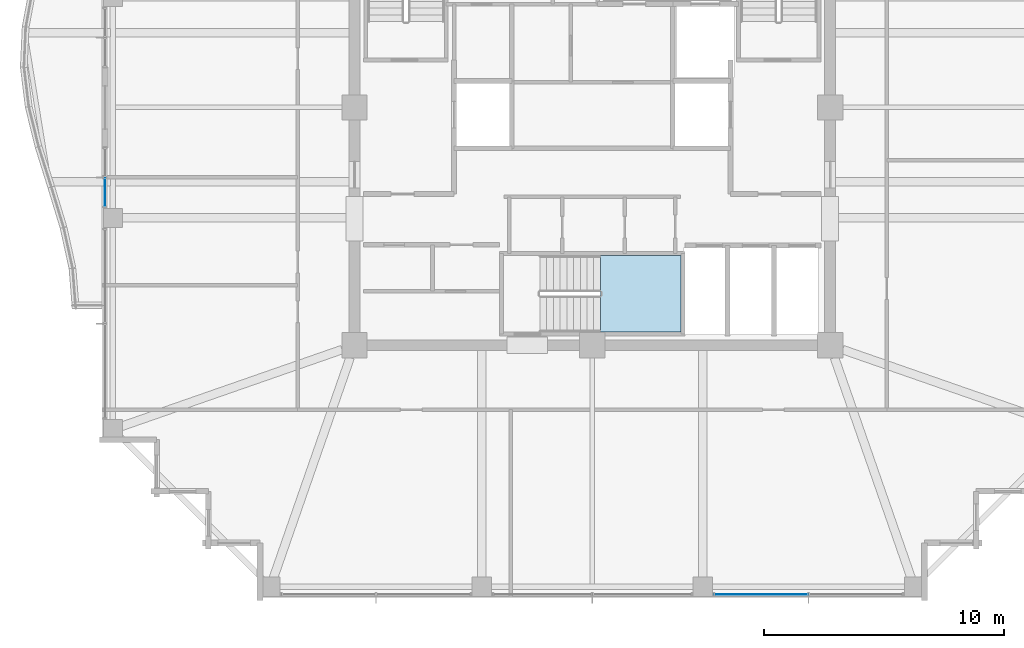
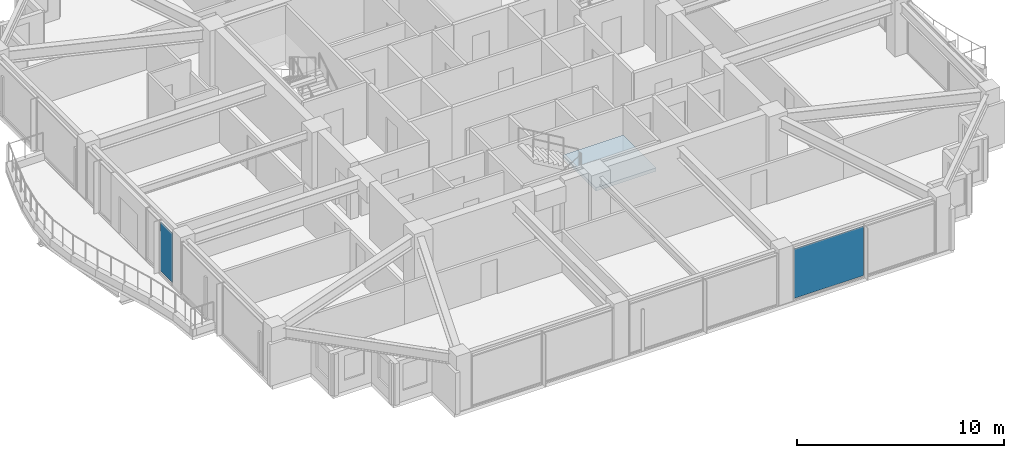
# One storey, part 22 of 34: 2 plates, 1 slab, 3 elements without a shape of their own.
"""IFC4 building model written with IfcOpenShell, lengths in metres."""

from ifc_helpers import new_model, si_unit, direction, frame, origin, origin_2d, place, context, subcontext, project, spatial, polyline, rectangle, outline, extrude, material, layer, layer_set, type_object, element, aggregate, save


model = new_model("IFC4")

# Units and contexts
model_context = context("Model", 3, precision=1e-05, world=origin(), true_north=direction((0.0, 1.0)))
body_context = subcontext(model_context, "Body", "Model", "MODEL_VIEW")
ifc_project = project(units=[si_unit("LENGTHUNIT", "METRE"), si_unit("AREAUNIT", "SQUARE_METRE"), si_unit("VOLUMEUNIT", "CUBIC_METRE"), si_unit("PLANEANGLEUNIT", "RADIAN"), si_unit("MASSUNIT", "GRAM", prefix="KILO")], contexts=[model_context])

# Site, building, storey
site_placement = place(None, origin())
site = spatial("IfcSite", under=ifc_project, at=site_placement, CompositionType="ELEMENT")
building_placement = place(site_placement, origin())
building = spatial("IfcBuilding", under=site, at=building_placement, Name="Kolvaren Belvedere", CompositionType="ELEMENT")
storey_placement = place(building_placement, frame((0.0, 0.0, 222.89990234375)))
storey = spatial("IfcBuildingStorey", under=building, at=storey_placement, Name="L65", CompositionType="ELEMENT", Elevation=222.89990234375)

# Curtain wall, plate
ifc_material_1 = material(Name="Anodised pale-metal aluminium AA 6063-T6", Category="aluminium")
curtain_wall_type = type_object("IfcCurtainWallType", Name="CW-Z5-HIGH", PredefinedType="NOTDEFINED", material=ifc_material_1)
curtain_wall_1_placement = place(storey_placement, origin())
curtain_wall_1 = element("IfcCurtainWall", 1, at=curtain_wall_1_placement, inside=storey, type_object=curtain_wall_type, Name="L65 Unitised Curtain Wall FCW-L65-S-B1", PredefinedType="NOTDEFINED")
ifc_material_2 = material(Name="Low-iron triple insulated glass", Category="glass")
ifc_layer_1 = layer(ifc_material_2, 0.028076171875)
ifc_layer_set_1 = layer_set([ifc_layer_1], Name="Low-iron triple insulated glass")
plate_type = type_object("IfcPlateType", Name="CW-PNL-VIS28", PredefinedType="CURTAIN_PANEL", material=ifc_layer_set_1)
plate_1_placement = place(storey_placement, frame((7.027587890625, -20.280029296875, 0.080078125), z_axis=(0.0, 0.0, 1.0), x_axis=(-1.0, 0.0, 0.0)))
plate_1 = element("IfcPlate", 2, at=plate_1_placement, type_object=plate_type, Name="FCW-L65-S-B1 Vision Glazing Panel 2", PredefinedType="CURTAIN_PANEL", context=body_context, shape_type="SweptSolid", body=[
    extrude(rectangle(XDim=3.864990234375, YDim=0.028076171875, at=origin_2d()), origin(), (0.0, 0.0, 1.0), 2.919921875),
])
aggregate(curtain_wall_1, [plate_1])

curtain_wall_2_placement = place(storey_placement, origin())
curtain_wall_2 = element("IfcCurtainWall", 3, at=curtain_wall_2_placement, inside=storey, type_object=curtain_wall_type, Name="L65 Unitised Curtain Wall FCW-L65-W1-B2", PredefinedType="NOTDEFINED")
plate_2_placement = place(storey_placement, frame((-20.280029296875, -3.52880859375, 0.080078125), z_axis=(0.0, 0.0, 1.0), x_axis=(0.0, 1.0, 0.0)))
plate_2 = element("IfcPlate", 4, at=plate_2_placement, type_object=plate_type, Name="FCW-L65-W1-B2 Vision Glazing Panel 1", PredefinedType="CURTAIN_PANEL", context=body_context, shape_type="SweptSolid", body=[
    extrude(rectangle(XDim=1.152587890625, YDim=0.028076171875, at=origin_2d()), origin(), (0.0, 0.0, 1.0), 2.919921875),
])
aggregate(curtain_wall_2, [plate_2])

# Stair, slab
ifc_material_3 = material(Name="Concrete C50/60", Category="concrete")
stair_type = type_object("IfcStairType", Name="ST-CORE-1520", PredefinedType="HALF_TURN_STAIR", material=ifc_material_3)
stair_placement = place(storey_placement, origin())
stair = element("IfcStair", 5, at=stair_placement, inside=storey, type_object=stair_type, Name="L65 Protected Exit Stair ST-3", PredefinedType="HALF_TURN_STAIR")
ifc_material_4 = material(Name="Concrete C50/60", Category="concrete")
ifc_layer_2 = layer(ifc_material_4, 0.260009765625)
ifc_layer_set_2 = layer_set([ifc_layer_2], Name="Concrete C50/60")
slab_type = type_object("IfcSlabType", Name="SL-LAND-260", PredefinedType="LANDING", material=ifc_layer_set_2)
slab_placement = place(storey_placement, frame((0.0, 0.0, 1.4501953125)))
slab = element("IfcSlab", 6, at=slab_placement, type_object=slab_type, Name="ST-3 landing 1", PredefinedType="LANDING", context=body_context, shape_type="SweptSolid", body=[
    extrude(outline(polyline([(0.340087890625, -9.35009765625), (3.699951171875, -9.35009765625), (3.699951171875, -6.159912109375), (0.340087890625, -6.159912109375), (0.340087890625, -9.35009765625)])), origin(), (0.0, 0.0, 1.0), 0.199951171875),
])
aggregate(stair, [slab])

save(model, "model.ifc")
